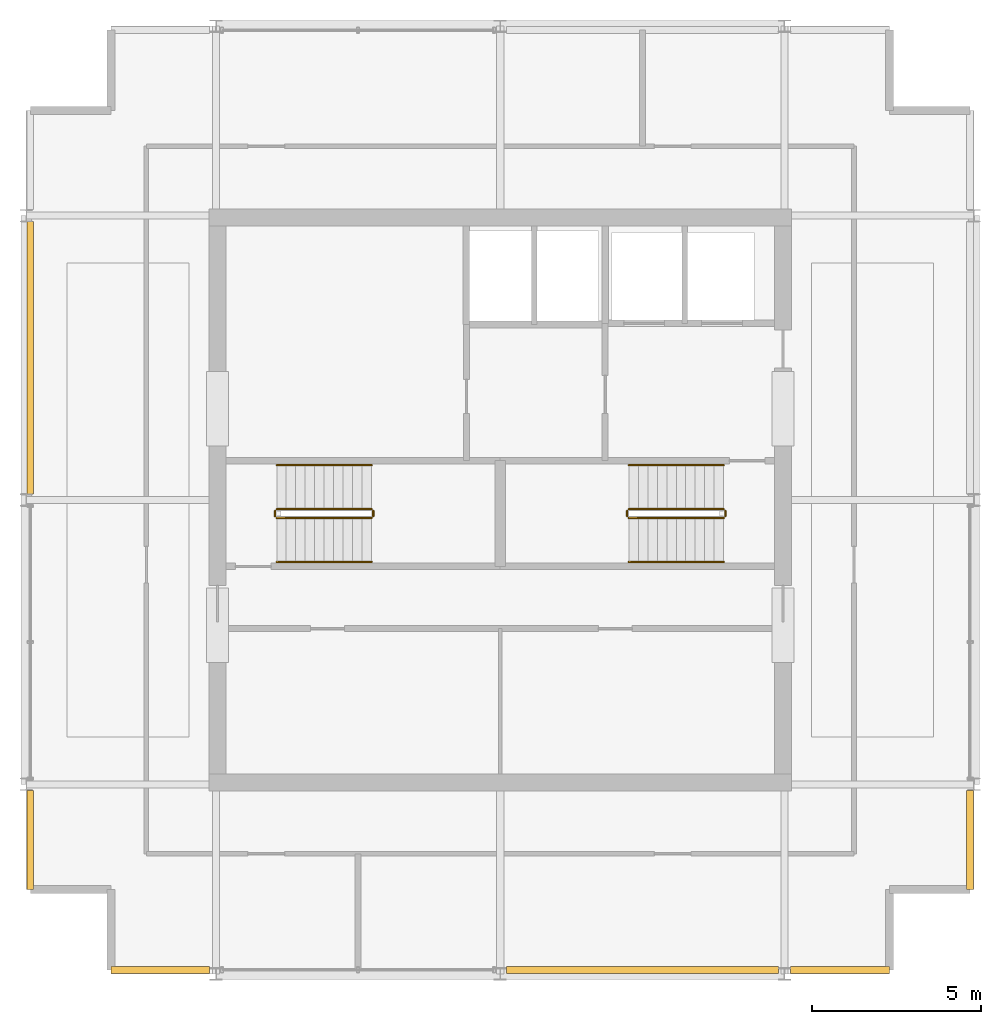
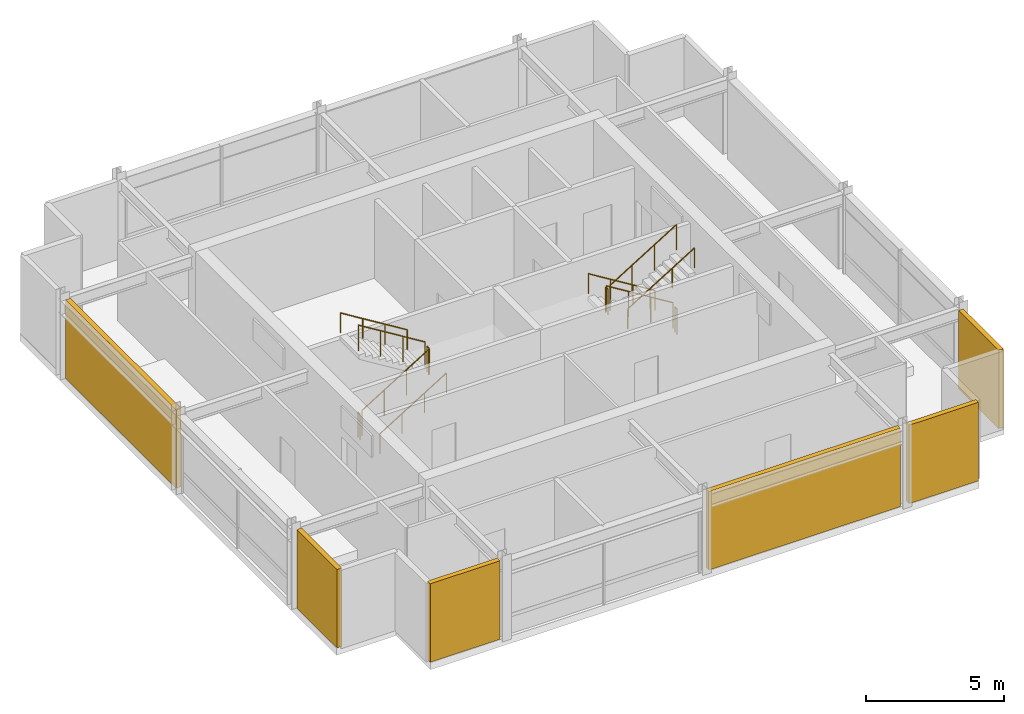
# One storey, part 11 of 12: 12 railings, 6 shading devices.
"""IFC4 building model written with IfcOpenShell, lengths in metres."""

from ifc_helpers import new_model, si_unit, direction, frame, origin, origin_2d, place, context, subcontext, project, spatial, rectangle, circle, extrude, material, layer, layer_set, type_object, element, save


model = new_model("IFC4")

# Units and contexts
model_context = context("Model", 3, precision=1e-05, world=origin(), true_north=direction((0.0, 1.0)))
body_context = subcontext(model_context, "Body", "Model", "MODEL_VIEW")
ifc_project = project(units=[si_unit("LENGTHUNIT", "METRE"), si_unit("AREAUNIT", "SQUARE_METRE"), si_unit("VOLUMEUNIT", "CUBIC_METRE"), si_unit("PLANEANGLEUNIT", "RADIAN"), si_unit("MASSUNIT", "GRAM", prefix="KILO")], contexts=[model_context])

# Site, building, storey
site_placement = place(None, origin())
site = spatial("IfcSite", under=ifc_project, at=site_placement, CompositionType="ELEMENT")
building_placement = place(site_placement, origin())
building = spatial("IfcBuilding", under=site, at=building_placement, Name="Drelvath Grand Hotel", CompositionType="ELEMENT")
storey_placement = place(building_placement, frame((0.0, 0.0, 319.39990234375)))
storey = spatial("IfcBuildingStorey", under=building, at=storey_placement, Name="L83", CompositionType="ELEMENT", Elevation=319.39990234375)

# Railings
ifc_material_1 = material(Name="Painted Steel S275", Category="steel")
railing_type_1 = type_object("IfcRailingType", Name="Core Stair Wall Handrail 900", PredefinedType="HANDRAIL", material=ifc_material_1)
railing_1_placement = place(storey_placement, frame((-6.60009765625, 25.169921875, 0.1728515625)))
element("IfcRailing", 1, at=railing_1_placement, inside=storey, type_object=railing_type_1, Name="L83 ST-1 stair handrail 1", PredefinedType="HANDRAIL", context=body_context, shape_type="SweptSolid", body=[
    extrude(circle(Radius=0.02392578125, at=origin_2d()), frame((0.0, 0.0, 0.8759765625), z_axis=(0.851089632645, 0.0, 0.525020415988), x_axis=(0.0, 1.0, 0.0)), (0.0, 0.0, 1.0), 3.2900390625),
    extrude(circle(Radius=0.02099609375, at=origin_2d()), origin(), (0.0, 0.0, 1.0), 0.851806640625),
    extrude(circle(Radius=0.02099609375, at=origin_2d()), frame((0.933349609375, 0.0, 0.57568359375)), (0.0, 0.0, 1.0), 0.851806640625),
    extrude(circle(Radius=0.02099609375, at=origin_2d()), frame((1.86669921875, 0.0, 1.151611328125)), (0.0, 0.0, 1.0), 0.851806640625),
    extrude(circle(Radius=0.02099609375, at=origin_2d()), frame((2.800048828125, 0.0, 1.727294921875)), (0.0, 0.0, 1.0), 0.851806640625),
])
for number, where, name in (
    (2, (-3.800048828125, 28.030029296875, 2.07275390625), "L83 ST-1 stair handrail 2"),
    (3, (6.60009765625, 28.030029296875, 0.1728515625), "L83 ST-2 stair handrail 1"),
):
    element("IfcRailing", number, at=place(storey_placement, frame(where)), inside=storey, type_object=railing_type_1, Name=name, PredefinedType="HANDRAIL", context=body_context, shape_type="SweptSolid", body=[
        extrude(circle(Radius=0.02392578125, at=origin_2d()), frame((0.0, 0.0, 0.8759765625), z_axis=(-0.851089632645, 0.0, 0.525020415988), x_axis=(0.0, -1.0, 0.0)), (0.0, 0.0, 1.0), 3.2900390625),
        extrude(circle(Radius=0.02099609375, at=origin_2d()), origin(), (0.0, 0.0, 1.0), 0.851806640625),
        extrude(circle(Radius=0.02099609375, at=origin_2d()), frame((-0.933349609375, 0.0, 0.57568359375)), (0.0, 0.0, 1.0), 0.851806640625),
        extrude(circle(Radius=0.02099609375, at=origin_2d()), frame((-1.86669921875, 0.0, 1.151611328125)), (0.0, 0.0, 1.0), 0.851806640625),
        extrude(circle(Radius=0.02099609375, at=origin_2d()), frame((-2.800048828125, 0.0, 1.727294921875)), (0.0, 0.0, 1.0), 0.851806640625),
    ])
railing_2_placement = place(storey_placement, frame((3.800048828125, 25.169921875, 2.07275390625)))
element("IfcRailing", 4, at=railing_2_placement, inside=storey, type_object=railing_type_1, Name="L83 ST-2 stair handrail 2", PredefinedType="HANDRAIL", context=body_context, shape_type="SweptSolid", body=[
    extrude(circle(Radius=0.02392578125, at=origin_2d()), frame((0.0, 0.0, 0.8759765625), z_axis=(0.851089632645, 0.0, 0.525020415988), x_axis=(0.0, 1.0, 0.0)), (0.0, 0.0, 1.0), 3.2900390625),
    extrude(circle(Radius=0.02099609375, at=origin_2d()), origin(), (0.0, 0.0, 1.0), 0.851806640625),
    extrude(circle(Radius=0.02099609375, at=origin_2d()), frame((0.933349609375, 0.0, 0.57568359375)), (0.0, 0.0, 1.0), 0.851806640625),
    extrude(circle(Radius=0.02099609375, at=origin_2d()), frame((1.86669921875, 0.0, 1.151611328125)), (0.0, 0.0, 1.0), 0.851806640625),
    extrude(circle(Radius=0.02099609375, at=origin_2d()), frame((2.800048828125, 0.0, 1.727294921875)), (0.0, 0.0, 1.0), 0.851806640625),
])
railing_type_2 = type_object("IfcRailingType", Name="Core Stair Well Guardrail 1100", PredefinedType="GUARDRAIL", material=ifc_material_1)
railing_3_placement = place(storey_placement, frame((-6.60009765625, 26.469970703125, 0.1728515625)))
element("IfcRailing", 5, at=railing_3_placement, inside=storey, type_object=railing_type_2, Name="L83 ST-1 stair guard 1", PredefinedType="GUARDRAIL", context=body_context, shape_type="SweptSolid", body=[
    extrude(circle(Radius=0.02392578125, at=origin_2d()), frame((0.0, 0.0, 1.1259765625), z_axis=(0.851089632645, 0.0, 0.525020415988), x_axis=(0.0, 1.0, 0.0)), (0.0, 0.0, 1.0), 3.2900390625),
    extrude(circle(Radius=0.02099609375, at=origin_2d()), origin(), (0.0, 0.0, 1.0), 1.101806640625),
    extrude(circle(Radius=0.02099609375, at=origin_2d()), frame((0.933349609375, 0.0, 0.57568359375)), (0.0, 0.0, 1.0), 1.101806640625),
    extrude(circle(Radius=0.02099609375, at=origin_2d()), frame((1.86669921875, 0.0, 1.151611328125)), (0.0, 0.0, 1.0), 1.101806640625),
    extrude(circle(Radius=0.02099609375, at=origin_2d()), frame((2.800048828125, 0.0, 1.727294921875)), (0.0, 0.0, 1.0), 1.101806640625),
])
railing_4_placement = place(storey_placement, frame((-3.75, 26.52001953125, 1.900146484375)))
element("IfcRailing", 6, at=railing_4_placement, inside=storey, type_object=railing_type_2, Name="L83 ST-1 stair guard 2", PredefinedType="GUARDRAIL", context=body_context, shape_type="SweptSolid", body=[
    extrude(circle(Radius=0.02392578125, at=origin_2d()), frame((0.0, 0.0, 1.1259765625), z_axis=(0.0, 1.0, 0.0), x_axis=(-1.0, 0.0, 0.0)), (0.0, 0.0, 1.0), 0.159912109375),
    extrude(circle(Radius=0.02099609375, at=origin_2d()), origin(), (0.0, 0.0, 1.0), 1.101806640625),
    extrude(circle(Radius=0.02099609375, at=origin_2d()), frame((0.0, 0.159912109375, 0.0)), (0.0, 0.0, 1.0), 1.101806640625),
])
railing_5_placement = place(storey_placement, frame((-3.800048828125, 26.72998046875, 2.07275390625)))
element("IfcRailing", 7, at=railing_5_placement, inside=storey, type_object=railing_type_2, Name="L83 ST-1 stair guard 3", PredefinedType="GUARDRAIL", context=body_context, shape_type="SweptSolid", body=[
    extrude(circle(Radius=0.02392578125, at=origin_2d()), frame((0.0, 0.0, 1.1259765625), z_axis=(-0.851089632645, 0.0, 0.525020415988), x_axis=(0.0, -1.0, 0.0)), (0.0, 0.0, 1.0), 3.2900390625),
    extrude(circle(Radius=0.02099609375, at=origin_2d()), origin(), (0.0, 0.0, 1.0), 1.101806640625),
    extrude(circle(Radius=0.02099609375, at=origin_2d()), frame((-0.933349609375, 0.0, 0.57568359375)), (0.0, 0.0, 1.0), 1.101806640625),
    extrude(circle(Radius=0.02099609375, at=origin_2d()), frame((-1.86669921875, 0.0, 1.151611328125)), (0.0, 0.0, 1.0), 1.101806640625),
    extrude(circle(Radius=0.02099609375, at=origin_2d()), frame((-2.800048828125, 0.0, 1.727294921875)), (0.0, 0.0, 1.0), 1.101806640625),
])
railing_6_placement = place(storey_placement, frame((-6.64990234375, 26.52001953125, 0.0)))
element("IfcRailing", 8, at=railing_6_placement, inside=storey, type_object=railing_type_2, Name="L83 ST-1 stair guard 4", PredefinedType="GUARDRAIL", context=body_context, shape_type="SweptSolid", body=[
    extrude(circle(Radius=0.02392578125, at=origin_2d()), frame((0.0, 0.0, 1.1259765625), z_axis=(0.0, 1.0, 0.0), x_axis=(-1.0, 0.0, 0.0)), (0.0, 0.0, 1.0), 0.159912109375),
    extrude(circle(Radius=0.02099609375, at=origin_2d()), origin(), (0.0, 0.0, 1.0), 1.101806640625),
    extrude(circle(Radius=0.02099609375, at=origin_2d()), frame((0.0, 0.159912109375, 0.0)), (0.0, 0.0, 1.0), 1.101806640625),
])
railing_7_placement = place(storey_placement, frame((6.60009765625, 26.72998046875, 0.1728515625)))
element("IfcRailing", 9, at=railing_7_placement, inside=storey, type_object=railing_type_2, Name="L83 ST-2 stair guard 1", PredefinedType="GUARDRAIL", context=body_context, shape_type="SweptSolid", body=[
    extrude(circle(Radius=0.02392578125, at=origin_2d()), frame((0.0, 0.0, 1.1259765625), z_axis=(-0.851089632645, 0.0, 0.525020415988), x_axis=(0.0, -1.0, 0.0)), (0.0, 0.0, 1.0), 3.2900390625),
    extrude(circle(Radius=0.02099609375, at=origin_2d()), origin(), (0.0, 0.0, 1.0), 1.101806640625),
    extrude(circle(Radius=0.02099609375, at=origin_2d()), frame((-0.933349609375, 0.0, 0.57568359375)), (0.0, 0.0, 1.0), 1.101806640625),
    extrude(circle(Radius=0.02099609375, at=origin_2d()), frame((-1.86669921875, 0.0, 1.151611328125)), (0.0, 0.0, 1.0), 1.101806640625),
    extrude(circle(Radius=0.02099609375, at=origin_2d()), frame((-2.800048828125, 0.0, 1.727294921875)), (0.0, 0.0, 1.0), 1.101806640625),
])
railing_8_placement = place(storey_placement, frame((3.75, 26.679931640625, 1.900146484375)))
element("IfcRailing", 10, at=railing_8_placement, inside=storey, type_object=railing_type_2, Name="L83 ST-2 stair guard 2", PredefinedType="GUARDRAIL", context=body_context, shape_type="SweptSolid", body=[
    extrude(circle(Radius=0.02392578125, at=origin_2d()), frame((0.0, 0.0, 1.1259765625), z_axis=(0.0, -1.0, 0.0), x_axis=(1.0, 0.0, 0.0)), (0.0, 0.0, 1.0), 0.159912109375),
    extrude(circle(Radius=0.02099609375, at=origin_2d()), origin(), (0.0, 0.0, 1.0), 1.101806640625),
    extrude(circle(Radius=0.02099609375, at=origin_2d()), frame((0.0, -0.159912109375, 0.0)), (0.0, 0.0, 1.0), 1.101806640625),
])
railing_9_placement = place(storey_placement, frame((3.800048828125, 26.469970703125, 2.07275390625)))
element("IfcRailing", 11, at=railing_9_placement, inside=storey, type_object=railing_type_2, Name="L83 ST-2 stair guard 3", PredefinedType="GUARDRAIL", context=body_context, shape_type="SweptSolid", body=[
    extrude(circle(Radius=0.02392578125, at=origin_2d()), frame((0.0, 0.0, 1.1259765625), z_axis=(0.851089632645, 0.0, 0.525020415988), x_axis=(0.0, 1.0, 0.0)), (0.0, 0.0, 1.0), 3.2900390625),
    extrude(circle(Radius=0.02099609375, at=origin_2d()), origin(), (0.0, 0.0, 1.0), 1.101806640625),
    extrude(circle(Radius=0.02099609375, at=origin_2d()), frame((0.933349609375, 0.0, 0.57568359375)), (0.0, 0.0, 1.0), 1.101806640625),
    extrude(circle(Radius=0.02099609375, at=origin_2d()), frame((1.86669921875, 0.0, 1.151611328125)), (0.0, 0.0, 1.0), 1.101806640625),
    extrude(circle(Radius=0.02099609375, at=origin_2d()), frame((2.800048828125, 0.0, 1.727294921875)), (0.0, 0.0, 1.0), 1.101806640625),
])
railing_10_placement = place(storey_placement, frame((6.64990234375, 26.679931640625, 0.0)))
element("IfcRailing", 12, at=railing_10_placement, inside=storey, type_object=railing_type_2, Name="L83 ST-2 stair guard 4", PredefinedType="GUARDRAIL", context=body_context, shape_type="SweptSolid", body=[
    extrude(circle(Radius=0.02392578125, at=origin_2d()), frame((0.0, 0.0, 1.1259765625), z_axis=(0.0, -1.0, 0.0), x_axis=(1.0, 0.0, 0.0)), (0.0, 0.0, 1.0), 0.159912109375),
    extrude(circle(Radius=0.02099609375, at=origin_2d()), origin(), (0.0, 0.0, 1.0), 1.101806640625),
    extrude(circle(Radius=0.02099609375, at=origin_2d()), frame((0.0, -0.159912109375, 0.0)), (0.0, 0.0, 1.0), 1.101806640625),
])

# Shading devices
ifc_material_2 = material(Name="Platinum-Mist Anodised Aluminium Louvre", Category="aluminium")
ifc_layer = layer(ifc_material_2, 0.199951171875)
ifc_layer_set = layer_set([ifc_layer], Name="Platinum-Mist Anodised Aluminium Louvre")
shading_device_type = type_object("IfcShadingDeviceType", Name="Crown Drum Screened Acoustic Louvre 200", PredefinedType="USERDEFINED", material=ifc_layer_set)
shading_device_1_placement = place(storey_placement, frame((-13.8798828125, 16.962890625, 0.0), z_axis=(0.0, 0.0, 1.0), x_axis=(0.0, 1.0, 0.0)))
element("IfcShadingDevice", 13, at=shading_device_1_placement, inside=storey, type_object=shading_device_type, Name="L83 Crown Drum Acoustic Louvre W-1", ObjectType="LOUVRE", PredefinedType="USERDEFINED", context=body_context, shape_type="SweptSolid", body=[
    extrude(rectangle(XDim=2.926025390625, YDim=0.199951171875, at=origin_2d()), origin(), (0.0, 0.0, 1.0), 3.47998046875),
])
shading_device_2_placement = place(storey_placement, frame((-13.8798828125, 31.199951171875, 0.0), z_axis=(0.0, 0.0, 1.0), x_axis=(0.0, 1.0, 0.0)))
element("IfcShadingDevice", 14, at=shading_device_2_placement, inside=storey, type_object=shading_device_type, Name="L83 Crown Drum Acoustic Louvre W-3", ObjectType="LOUVRE", PredefinedType="USERDEFINED", context=body_context, shape_type="SweptSolid", body=[
    extrude(rectangle(XDim=8.052001953125, YDim=0.199951171875, at=origin_2d()), origin(), (0.0, 0.0, 1.0), 3.47998046875),
])
shading_device_3_placement = place(storey_placement, frame((13.8798828125, 16.962890625, 0.0), z_axis=(0.0, 0.0, 1.0), x_axis=(0.0, 1.0, 0.0)))
element("IfcShadingDevice", 15, at=shading_device_3_placement, inside=storey, type_object=shading_device_type, Name="L83 Crown Drum Acoustic Louvre E-1", ObjectType="LOUVRE", PredefinedType="USERDEFINED", context=body_context, shape_type="SweptSolid", body=[
    extrude(rectangle(XDim=2.926025390625, YDim=0.199951171875, at=origin_2d()), origin(), (0.0, 0.0, 1.0), 3.47998046875),
])
shading_device_4_placement = place(storey_placement, frame((-10.040283203125, 13.1201171875, 0.0), z_axis=(0.0, 0.0, 1.0), x_axis=(1.0, 0.0, 0.0)))
element("IfcShadingDevice", 16, at=shading_device_4_placement, inside=storey, type_object=shading_device_type, Name="L83 Crown Drum Acoustic Louvre S-1", ObjectType="LOUVRE", PredefinedType="USERDEFINED", context=body_context, shape_type="SweptSolid", body=[
    extrude(rectangle(XDim=2.919677734375, YDim=0.199951171875, at=origin_2d()), origin(), (0.0, 0.0, 1.0), 3.47998046875),
])
shading_device_5_placement = place(storey_placement, frame((4.199951171875, 13.1201171875, 0.0), z_axis=(0.0, 0.0, 1.0), x_axis=(1.0, 0.0, 0.0)))
element("IfcShadingDevice", 17, at=shading_device_5_placement, inside=storey, type_object=shading_device_type, Name="L83 Crown Drum Acoustic Louvre S-3", ObjectType="LOUVRE", PredefinedType="USERDEFINED", context=body_context, shape_type="SweptSolid", body=[
    extrude(rectangle(XDim=8.039306640625, YDim=0.199951171875, at=origin_2d()), origin(), (0.0, 0.0, 1.0), 3.47998046875),
])
shading_device_6_placement = place(storey_placement, frame((10.040283203125, 13.1201171875, 0.0), z_axis=(0.0, 0.0, 1.0), x_axis=(1.0, 0.0, 0.0)))
element("IfcShadingDevice", 18, at=shading_device_6_placement, inside=storey, type_object=shading_device_type, Name="L83 Crown Drum Acoustic Louvre S-4", ObjectType="LOUVRE", PredefinedType="USERDEFINED", context=body_context, shape_type="SweptSolid", body=[
    extrude(rectangle(XDim=2.919677734375, YDim=0.199951171875, at=origin_2d()), origin(), (0.0, 0.0, 1.0), 3.47998046875),
])

save(model, "model.ifc")
